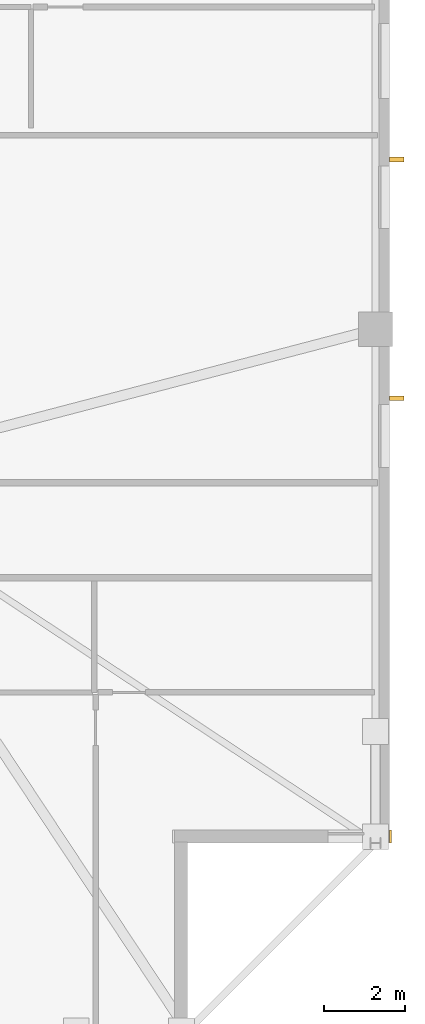
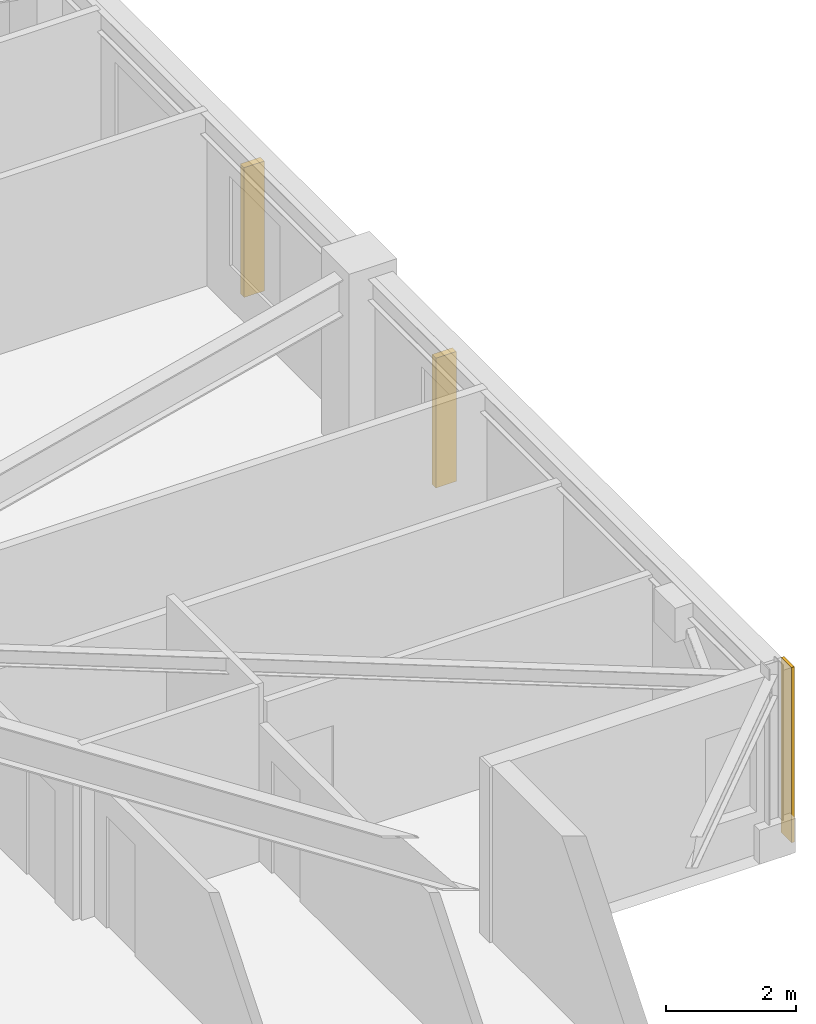
# One storey, part 15 of 17: 2 shading devices, 1 covering.
"""IFC4 building model written with IfcOpenShell, lengths in metres."""

from ifc_helpers import new_model, si_unit, direction, frame, frame_2d, origin, origin_2d, place, context, subcontext, project, spatial, rectangle, extrude, material, layer, layer_set, type_object, element, save


model = new_model("IFC4")

# Units and contexts
model_context = context("Model", 3, precision=1e-05, world=origin(), true_north=direction((0.0, 1.0)))
body_context = subcontext(model_context, "Body", "Model", "MODEL_VIEW")
ifc_project = project(units=[si_unit("LENGTHUNIT", "METRE"), si_unit("AREAUNIT", "SQUARE_METRE"), si_unit("VOLUMEUNIT", "CUBIC_METRE"), si_unit("PLANEANGLEUNIT", "RADIAN"), si_unit("MASSUNIT", "GRAM", prefix="KILO")], contexts=[model_context])

# Site, building, storey
site_placement = place(None, origin())
site = spatial("IfcSite", under=ifc_project, at=site_placement, CompositionType="ELEMENT")
building_placement = place(site_placement, origin())
building = spatial("IfcBuilding", under=site, at=building_placement, Name="Cairnveth Concourse Tower", CompositionType="ELEMENT")
storey_placement = place(building_placement, frame((0.0, 0.0, 206.0)))
storey = spatial("IfcBuildingStorey", under=building, at=storey_placement, Name="L56", CompositionType="ELEMENT", Elevation=206.0)

# Covering
ifc_material_1 = material(Name="Dressed Melbourne Bluestone Cladding", Category="masonry")
ifc_layer = layer(ifc_material_1, 0.050048828125)
ifc_layer_set = layer_set([ifc_layer], Name="Dressed Melbourne Bluestone Cladding")
covering_type = type_object("IfcCoveringType", Name="DRESSED BLUESTONE PLINTH CLADDING 50", PredefinedType="CLADDING", material=ifc_layer_set)
covering_placement = place(storey_placement, frame((74.52001953125, 21.820068359375, 0.0), z_axis=(0.0, 0.0, 1.0), x_axis=(0.0, -1.0, 0.0)))
element("IfcCovering", 1, at=covering_placement, inside=storey, type_object=covering_type, Name="Melbourne Bluestone Corner Quoin L56-835", PredefinedType="CLADDING", context=body_context, shape_type="SweptSolid", body=[
    extrude(rectangle(XDim=0.320068359375, YDim=0.050048828125, at=frame_2d((0.16015625, 0.0))), origin(), (0.0, 0.0, 1.0), 3.2900390625),
])

# Shading devices
ifc_material_2 = material(Name="Architectural Bronze Anodised Aluminium 6063-T6", Category="aluminium")
shading_device_type = type_object("IfcShadingDeviceType", Name="GOTHIC BRONZE VERTICAL LANCET FIN", PredefinedType="USERDEFINED", material=ifc_material_2)
for number, where, z_axis, x_axis, name in (
    (2, (74.675048828125, 38.396484375, 0.030029296875), (0.0, 0.0, 1.0), (0.0, 1.0, 0.0), "Gothic Bronze Vertical Fin L56-3-5"),
    (3, (74.675048828125, 32.495849609375, 0.030029296875), (0.0, 0.0, 1.0), (0.0, 1.0, 0.0), "Gothic Bronze Vertical Fin L56-3-7"),
):
    element("IfcShadingDevice", number, at=place(storey_placement, frame(where, z_axis=z_axis, x_axis=x_axis)), inside=storey, type_object=shading_device_type, Name=name, ObjectType="VERTICAL FIN", PredefinedType="USERDEFINED", context=body_context, shape_type="SweptSolid", body=[
        extrude(rectangle(XDim=0.1201171875, YDim=0.360107421875, at=origin_2d()), origin(), (0.0, 0.0, 1.0), 2.43798828125),
    ])

save(model, "model.ifc")
